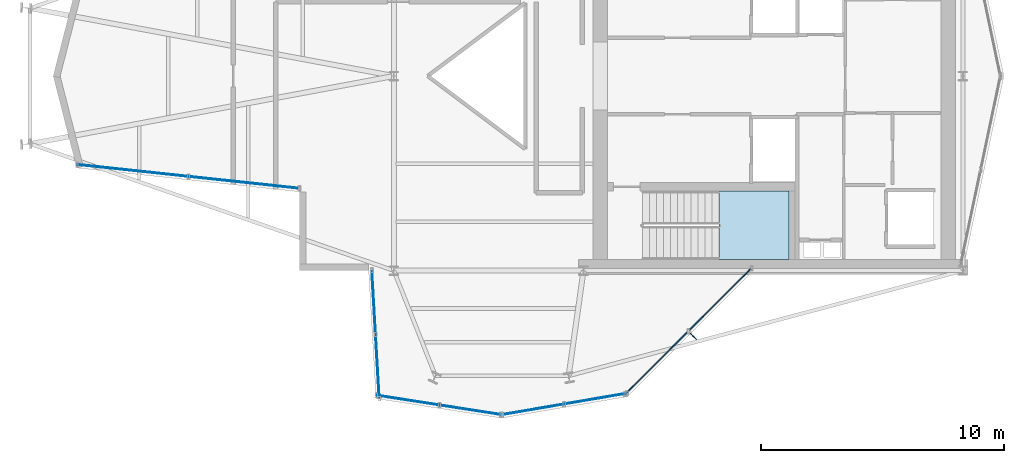
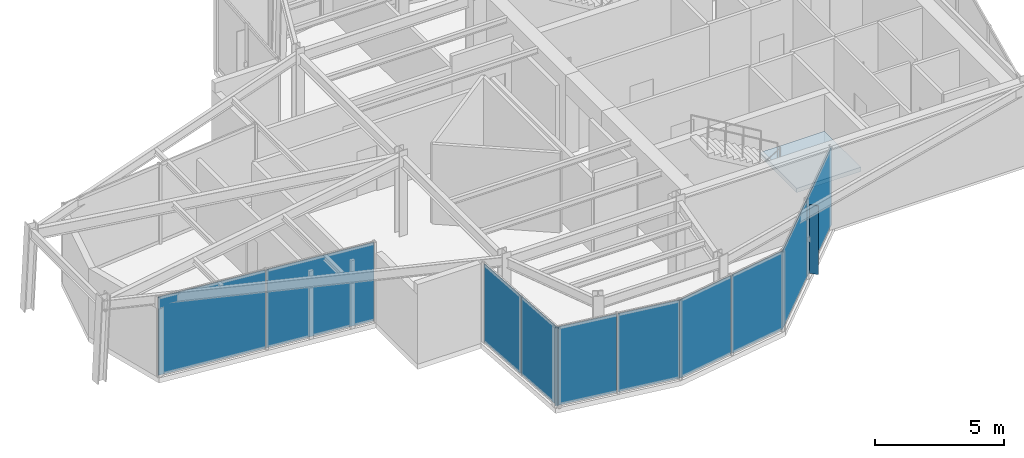
# One storey, part 8 of 13: 11 plates, 1 slab, 6 elements without a shape of their own.
"""IFC4 building model written with IfcOpenShell, lengths in metres."""

from ifc_helpers import new_model, si_unit, direction, frame, origin, origin_2d, place, context, subcontext, project, spatial, polyline, rectangle, outline, extrude, material, layer, layer_set, type_object, element, aggregate, save


model = new_model("IFC4")

# Units and contexts
model_context = context("Model", 3, precision=1e-05, world=origin(), true_north=direction((0.0, 1.0)))
body_context = subcontext(model_context, "Body", "Model", "MODEL_VIEW")
ifc_project = project(units=[si_unit("LENGTHUNIT", "METRE"), si_unit("AREAUNIT", "SQUARE_METRE"), si_unit("VOLUMEUNIT", "CUBIC_METRE"), si_unit("PLANEANGLEUNIT", "RADIAN"), si_unit("MASSUNIT", "GRAM", prefix="KILO")], contexts=[model_context])

# Site, building, storey
site_placement = place(None, origin())
site = spatial("IfcSite", under=ifc_project, at=site_placement, CompositionType="ELEMENT")
building_placement = place(site_placement, origin())
building = spatial("IfcBuilding", under=site, at=building_placement, Name="Veymaron Broadcast Tower", CompositionType="ELEMENT")
storey_placement = place(building_placement, frame((0.0, 0.0, 311.39990234375)))
storey = spatial("IfcBuildingStorey", under=building, at=storey_placement, Name="L73", CompositionType="ELEMENT", Elevation=311.39990234375)

# Curtain wall, plates
ifc_material_1 = material(Name="Anodised aluminium AA 6063-T6 and laminated low-E dark glass", Category="aluminium")
ifc_layer_1 = layer(ifc_material_1, 0.179931640625)
ifc_layer_set_1 = layer_set([ifc_layer_1], Name="Anodised aluminium AA 6063-T6 and laminated low-E dark glass")
curtain_wall_type = type_object("IfcCurtainWallType", Name="CW-SYS-06", PredefinedType="NOTDEFINED", material=ifc_layer_set_1)
curtain_wall_1_placement = place(storey_placement, origin())
curtain_wall_1 = element("IfcCurtainWall", 1, at=curtain_wall_1_placement, inside=storey, type_object=curtain_wall_type, Name="L73 dark-glass curtain wall CW-L73-E14-1", PredefinedType="NOTDEFINED")
ifc_material_2 = material(Name="Insulated dark-anodised aluminium spandrel panel 40 mm", Category="aluminium")
ifc_layer_2 = layer(ifc_material_2, 0.0400390625)
ifc_layer_set_2 = layer_set([ifc_layer_2], Name="Insulated dark-anodised aluminium spandrel panel 40 mm")
plate_type_1 = type_object("IfcPlateType", Name="CW-PNL-03", PredefinedType="CURTAIN_PANEL", material=ifc_layer_set_2)
plate_1_placement = place(storey_placement, frame((20.46337890625, 20.114013671875, 0.0400390625), z_axis=(0.0, 0.0, 1.0), x_axis=(0.994321239945, -0.106420260264, 0.0)))
plate_1 = element("IfcPlate", 2, at=plate_1_placement, type_object=plate_type_1, Name="CW-L73-E14-1 unitised curtain panel 0", PredefinedType="CURTAIN_PANEL", context=body_context, shape_type="SweptSolid", body=[
    extrude(rectangle(XDim=4.54296875, YDim=0.0400390625, at=origin_2d()), origin(), (0.0, 0.0, 1.0), 3.699951171875),
])
plate_2_placement = place(storey_placement, frame((25.0400390625, 19.624267578125, 0.0400390625), z_axis=(0.0, 0.0, 1.0), x_axis=(0.994321239945, -0.106420260264, 0.0)))
plate_2 = element("IfcPlate", 3, at=plate_2_placement, type_object=plate_type_1, Name="CW-L73-E14-1 unitised curtain panel 1", PredefinedType="CURTAIN_PANEL", context=body_context, shape_type="SweptSolid", body=[
    extrude(rectangle(XDim=4.54296875, YDim=0.0400390625, at=origin_2d()), origin(), (0.0, 0.0, 1.0), 3.699951171875),
])
aggregate(curtain_wall_1, [plate_1, plate_2])

curtain_wall_2_placement = place(storey_placement, origin())
curtain_wall_2 = element("IfcCurtainWall", 4, at=curtain_wall_2_placement, inside=storey, type_object=curtain_wall_type, Name="L73 dark-glass curtain wall CW-L73-E17-1", PredefinedType="NOTDEFINED")
plate_3_placement = place(storey_placement, frame((30.375732421875, 14.69189453125, 0.0400390625), z_axis=(0.0, 0.0, 1.0), x_axis=(0.057720845415, -0.998332762161, 0.0)))
plate_3 = element("IfcPlate", 5, at=plate_3_placement, type_object=plate_type_1, Name="CW-L73-E17-1 unitised curtain panel 0", PredefinedType="CURTAIN_PANEL", context=body_context, shape_type="SweptSolid", body=[
    extrude(rectangle(XDim=2.576904296875, YDim=0.0400390625, at=origin_2d()), origin(), (0.0, 0.0, 1.0), 3.699951171875),
])
plate_4_placement = place(storey_placement, frame((30.528076171875, 12.05908203125, 0.0400390625), z_axis=(0.0, 0.0, 1.0), x_axis=(0.057720845415, -0.998332762161, 0.0)))
plate_4 = element("IfcPlate", 6, at=plate_4_placement, type_object=plate_type_1, Name="CW-L73-E17-1 unitised curtain panel 1", PredefinedType="CURTAIN_PANEL", context=body_context, shape_type="SweptSolid", body=[
    extrude(rectangle(XDim=2.576904296875, YDim=0.0400390625, at=origin_2d()), origin(), (0.0, 0.0, 1.0), 3.699951171875),
])
aggregate(curtain_wall_2, [plate_3, plate_4])

curtain_wall_3_placement = place(storey_placement, origin())
curtain_wall_3 = element("IfcCurtainWall", 7, at=curtain_wall_3_placement, inside=storey, type_object=curtain_wall_type, Name="L73 dark-glass curtain wall CW-L73-E18-1", PredefinedType="NOTDEFINED")
plate_5_placement = place(storey_placement, frame((31.779052734375, 10.672119140625, 0.0400390625), z_axis=(0.0, 0.0, 1.0), x_axis=(0.988134743341, -0.153589482068, 0.0)))
plate_5 = element("IfcPlate", 8, at=plate_5_placement, type_object=plate_type_1, Name="CW-L73-E18-1 unitised curtain panel 0", PredefinedType="CURTAIN_PANEL", context=body_context, shape_type="SweptSolid", body=[
    extrude(rectangle(XDim=2.5576171875, YDim=0.0400390625, at=origin_2d()), origin(), (0.0, 0.0, 1.0), 3.699951171875),
])
plate_6_placement = place(storey_placement, frame((34.365478515625, 10.27001953125, 0.0400390625), z_axis=(0.0, 0.0, 1.0), x_axis=(0.988134743341, -0.153589482068, 0.0)))
plate_6 = element("IfcPlate", 9, at=plate_6_placement, type_object=plate_type_1, Name="CW-L73-E18-1 unitised curtain panel 1", PredefinedType="CURTAIN_PANEL", context=body_context, shape_type="SweptSolid", body=[
    extrude(rectangle(XDim=2.5576171875, YDim=0.0400390625, at=origin_2d()), origin(), (0.0, 0.0, 1.0), 3.699951171875),
])
aggregate(curtain_wall_3, [plate_5, plate_6])

curtain_wall_4_placement = place(storey_placement, origin())
curtain_wall_4 = element("IfcCurtainWall", 10, at=curtain_wall_4_placement, inside=storey, type_object=curtain_wall_type, Name="L73 dark-glass curtain wall CW-L73-E19-1", PredefinedType="NOTDEFINED")
plate_7_placement = place(storey_placement, frame((36.90673828125, 10.289794921875, 0.0400390625), z_axis=(0.0, 0.0, 1.0), x_axis=(0.985697587099, 0.168523787004, 0.0)))
plate_7 = element("IfcPlate", 11, at=plate_7_placement, type_object=plate_type_1, Name="CW-L73-E19-1 unitised curtain panel 0", PredefinedType="CURTAIN_PANEL", context=body_context, shape_type="SweptSolid", body=[
    extrude(rectangle(XDim=2.56396484375, YDim=0.0400390625, at=origin_2d()), origin(), (0.0, 0.0, 1.0), 3.699951171875),
])
plate_8_placement = place(storey_placement, frame((39.493408203125, 10.732177734375, 0.0400390625), z_axis=(0.0, 0.0, 1.0), x_axis=(0.985697587099, 0.168523787004, 0.0)))
plate_8 = element("IfcPlate", 12, at=plate_8_placement, type_object=plate_type_1, Name="CW-L73-E19-1 unitised curtain panel 1", PredefinedType="CURTAIN_PANEL", context=body_context, shape_type="SweptSolid", body=[
    extrude(rectangle(XDim=2.56396484375, YDim=0.0400390625, at=origin_2d()), origin(), (0.0, 0.0, 1.0), 3.699951171875),
])
aggregate(curtain_wall_4, [plate_7, plate_8])

curtain_wall_5_placement = place(storey_placement, origin())
curtain_wall_5 = element("IfcCurtainWall", 13, at=curtain_wall_5_placement, inside=storey, type_object=curtain_wall_type, Name="L73 dark-glass curtain wall CW-L73-E20-1", PredefinedType="NOTDEFINED")
plate_9_placement = place(storey_placement, frame((42.00830078125, 12.21044921875, 0.0400390625), z_axis=(0.0, 0.0, 1.0), x_axis=(0.707402911339, 0.706810526965, 0.0)))
plate_9 = element("IfcPlate", 14, at=plate_9_placement, type_object=plate_type_1, Name="CW-L73-E20-1 unitised curtain panel 0", PredefinedType="CURTAIN_PANEL", context=body_context, shape_type="SweptSolid", body=[
    extrude(rectangle(XDim=3.60791015625, YDim=0.0400390625, at=origin_2d()), origin(), (0.0, 0.0, 1.0), 3.699951171875),
])
plate_10_placement = place(storey_placement, frame((44.60302734375, 14.802734375, 0.0400390625), z_axis=(0.0, 0.0, 1.0), x_axis=(0.707402911339, 0.706810526965, 0.0)))
plate_10 = element("IfcPlate", 15, at=plate_10_placement, type_object=plate_type_1, Name="CW-L73-E20-1 unitised curtain panel 1", PredefinedType="CURTAIN_PANEL", context=body_context, shape_type="SweptSolid", body=[
    extrude(rectangle(XDim=3.60791015625, YDim=0.0400390625, at=origin_2d()), origin(), (0.0, 0.0, 1.0), 3.699951171875),
])
aggregate(curtain_wall_5, [plate_9, plate_10])

# Plate
ifc_material_3 = material(Name="Dark-anodised aluminium AA 6061-T6", Category="aluminium")
ifc_layer_3 = layer(ifc_material_3, 0.030029296875)
ifc_layer_set_3 = layer_set([ifc_layer_3], Name="Dark-anodised aluminium AA 6061-T6")
plate_type_2 = type_object("IfcPlateType", Name="FIN-CHEV-02", PredefinedType="USERDEFINED", material=ifc_layer_set_3)
plate_11_placement = place(storey_placement, frame((43.521240234375, 13.290771484375, 0.2646484375), z_axis=(0.0, 0.0, 1.0), x_axis=(0.706810526965, -0.707402911339, 0.0)))
element("IfcPlate", 16, at=plate_11_placement, inside=storey, type_object=plate_type_2, Name="CW-L73-E20-1 chevron fin 1", ObjectType="FIN", PredefinedType="USERDEFINED", context=body_context, shape_type="SweptSolid", body=[
    extrude(rectangle(XDim=0.35009765625, YDim=0.034912109375, at=origin_2d()), origin(), (0.0, 0.0, 1.0), 3.250732421875),
])

# Stair, slab
ifc_material_4 = material(Name="Concrete C50/60", Category="concrete")
stair_type = type_object("IfcStairType", Name="STAIR-CORE-2", PredefinedType="HALF_TURN_STAIR", material=ifc_material_4)
stair_placement = place(storey_placement, origin())
stair = element("IfcStair", 17, at=stair_placement, inside=storey, type_object=stair_type, Name="L73 South protected dog-leg exit stair ST2", PredefinedType="HALF_TURN_STAIR")
ifc_layer_4 = layer(ifc_material_4, 0.199951171875)
ifc_layer_set_4 = layer_set([ifc_layer_4], Name="Concrete C50/60")
slab_type = type_object("IfcSlabType", Name="SLAB-STAIR-LDG", PredefinedType="LANDING", material=ifc_layer_set_4)
slab_placement = place(storey_placement, frame((0.0, 0.0, 1.8251953125)))
slab = element("IfcSlab", 18, at=slab_placement, type_object=slab_type, Name="ST2 landing 1", PredefinedType="LANDING", context=body_context, shape_type="SweptSolid", body=[
    extrude(outline(polyline([(44.56494140625, 16.449951171875), (47.43994140625, 16.449951171875), (47.43994140625, 19.27001953125), (44.56494140625, 19.27001953125), (44.56494140625, 16.449951171875)])), origin(), (0.0, 0.0, 1.0), 0.199951171875),
])
aggregate(stair, [slab])

save(model, "model.ifc")
